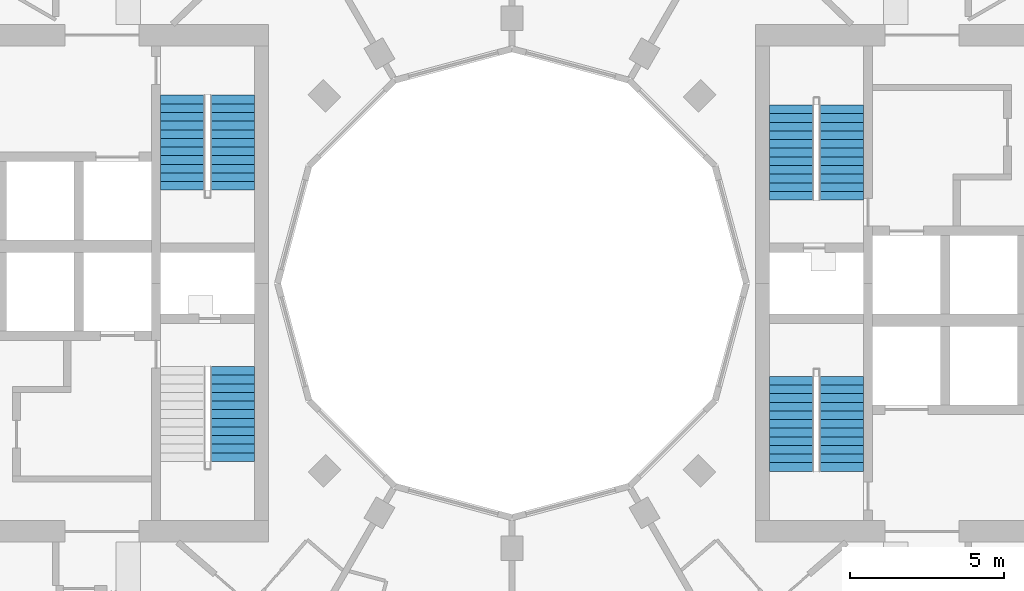
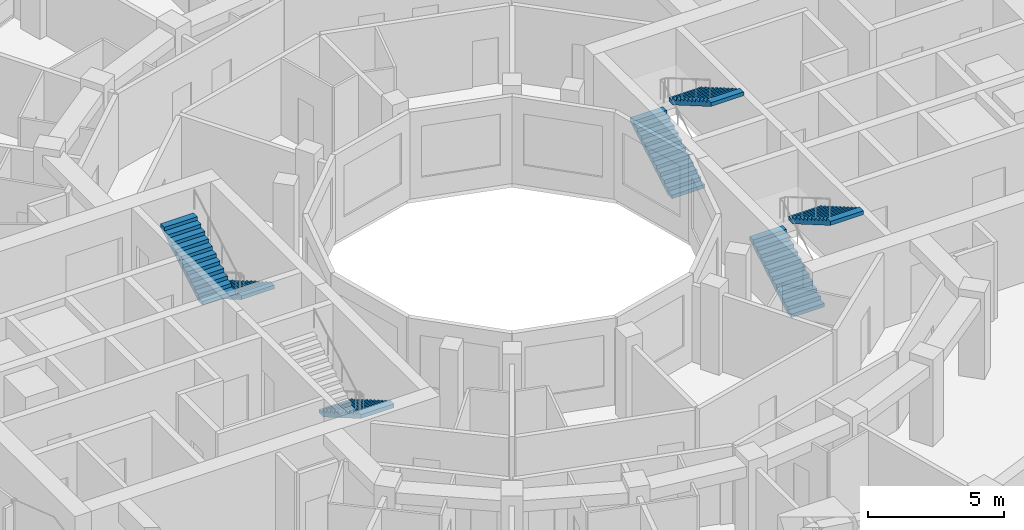
# One storey, part 13 of 15: 7 stair flights, 4 elements without a shape of their own.
"""IFC4 building model written with IfcOpenShell, lengths in metres."""

from ifc_helpers import new_model, si_unit, direction, frame, origin, place, context, subcontext, project, spatial, polyline, outline, extrude, material, layer, layer_set, type_object, element, aggregate, save


model = new_model("IFC4")

# Units and contexts
model_context = context("Model", 3, precision=1e-05, world=origin(), true_north=direction((0.0, 1.0)))
body_context = subcontext(model_context, "Body", "Model", "MODEL_VIEW")
ifc_project = project(units=[si_unit("LENGTHUNIT", "METRE"), si_unit("AREAUNIT", "SQUARE_METRE"), si_unit("VOLUMEUNIT", "CUBIC_METRE"), si_unit("PLANEANGLEUNIT", "RADIAN"), si_unit("MASSUNIT", "GRAM", prefix="KILO")], contexts=[model_context])

# Site, building, storey
site_placement = place(None, origin())
site = spatial("IfcSite", under=ifc_project, at=site_placement, CompositionType="ELEMENT")
building_placement = place(site_placement, origin())
building = spatial("IfcBuilding", under=site, at=building_placement, Name="Torre Brocal", CompositionType="ELEMENT")
storey_placement = place(building_placement, frame((0.0, 0.0, 141.89990234375)))
storey = spatial("IfcBuildingStorey", under=building, at=storey_placement, Name="L33", CompositionType="ELEMENT", Elevation=141.89990234375)

# Stair, stair flights
ifc_material_1 = material(Name="Concrete C50", Category="concrete")
stair_type = type_object("IfcStairType", Name="EXIT STAIR", PredefinedType="HALF_TURN_STAIR", material=ifc_material_1)
stair_1_placement = place(storey_placement, origin())
stair_1 = element("IfcStair", 1, at=stair_1_placement, inside=storey, type_object=stair_type, Name="EXIT STAIR ST1", PredefinedType="HALF_TURN_STAIR")
ifc_material_2 = material(Name="Concrete C50", Category="concrete")
ifc_layer = layer(ifc_material_2, 0.14990234375)
ifc_layer_set = layer_set([ifc_layer], Name="Concrete C50")
stair_flight_type = type_object("IfcStairFlightType", Name="STAIR FLIGHT", PredefinedType="STRAIGHT", material=ifc_layer_set)
stair_flight_1_placement = place(storey_placement, frame((89.050048828125, 77.699951171875, 0.0), z_axis=(0.0, 0.0, 1.0), x_axis=(0.0, 1.0, 0.0)))
stair_flight_1 = element("IfcStairFlight", 2, at=stair_flight_1_placement, type_object=stair_flight_type, Name="ST1 flight 1", NumberOfRisers=12, NumberOfTreads=11, PredefinedType="STRAIGHT", RiserHeight=0.1625, TreadLength=0.28, context=body_context, shape_type="SweptSolid", body=[
    extrude(outline(polyline([(0.0, 0.0), (0.0, 0.16259765625), (0.280029296875, 0.16259765625), (0.280029296875, 0.324951171875), (0.56005859375, 0.324951171875), (0.56005859375, 0.487548828125), (0.840087890625, 0.487548828125), (0.840087890625, 0.64990234375), (1.1201171875, 0.64990234375), (1.1201171875, 0.8125), (1.39990234375, 0.8125), (1.39990234375, 0.97509765625), (1.679931640625, 0.97509765625), (1.679931640625, 1.137451171875), (1.9599609375, 1.137451171875), (1.9599609375, 1.300048828125), (2.239990234375, 1.300048828125), (2.239990234375, 1.46240234375), (2.52001953125, 1.46240234375), (2.52001953125, 1.625), (2.800048828125, 1.625), (2.800048828125, 1.78759765625), (3.080078125, 1.78759765625), (3.080078125, 1.949951171875), (3.080078125, 1.6142578125), (0.298583984375, 0.0), (0.0, 0.0)])), frame((0.0, 0.699951171875, 0.0), z_axis=(0.0, -1.0, 0.0), x_axis=(1.0, 0.0, 0.0)), (0.0, 0.0, 1.0), 1.39990234375),
])
stair_flight_2_placement = place(storey_placement, frame((90.699951171875, 80.780029296875, 1.9501953125), z_axis=(0.0, 0.0, 1.0), x_axis=(0.0, -1.0, 0.0)))
stair_flight_2 = element("IfcStairFlight", 3, at=stair_flight_2_placement, type_object=stair_flight_type, Name="ST1 flight 2", NumberOfRisers=12, NumberOfTreads=11, PredefinedType="STRAIGHT", RiserHeight=0.1625, TreadLength=0.28, context=body_context, shape_type="SweptSolid", body=[
    extrude(outline(polyline([(0.0, 0.0), (0.0, 0.16259765625), (0.280029296875, 0.16259765625), (0.280029296875, 0.324951171875), (0.56005859375, 0.324951171875), (0.56005859375, 0.487548828125), (0.840087890625, 0.487548828125), (0.840087890625, 0.64990234375), (1.1201171875, 0.64990234375), (1.1201171875, 0.8125), (1.39990234375, 0.8125), (1.39990234375, 0.97509765625), (1.679931640625, 0.97509765625), (1.679931640625, 1.137451171875), (1.9599609375, 1.137451171875), (1.9599609375, 1.300048828125), (2.239990234375, 1.300048828125), (2.239990234375, 1.46240234375), (2.52001953125, 1.46240234375), (2.52001953125, 1.625), (2.800048828125, 1.625), (2.800048828125, 1.78759765625), (3.080078125, 1.78759765625), (3.080078125, 1.949951171875), (3.080078125, 1.6142578125), (0.298583984375, 0.0), (0.0, 0.0)])), frame((0.0, 0.699951171875, 0.0), z_axis=(0.0, -1.0, 0.0), x_axis=(1.0, 0.0, 0.0)), (0.0, 0.0, 1.0), 1.39990234375),
])
aggregate(stair_1, [stair_flight_1, stair_flight_2])

stair_2_placement = place(storey_placement, origin())
stair_2 = element("IfcStair", 4, at=stair_2_placement, inside=storey, type_object=stair_type, Name="EXIT STAIR ST2", PredefinedType="HALF_TURN_STAIR")
stair_flight_3_placement = place(storey_placement, frame((89.050048828125, 68.89990234375, 0.0), z_axis=(0.0, 0.0, 1.0), x_axis=(0.0, 1.0, 0.0)))
stair_flight_3 = element("IfcStairFlight", 5, at=stair_flight_3_placement, type_object=stair_flight_type, Name="ST2 flight 1", NumberOfRisers=12, NumberOfTreads=11, PredefinedType="STRAIGHT", RiserHeight=0.1625, TreadLength=0.28, context=body_context, shape_type="SweptSolid", body=[
    extrude(outline(polyline([(0.0, 0.0), (0.0, 0.16259765625), (0.280029296875, 0.16259765625), (0.280029296875, 0.324951171875), (0.56005859375, 0.324951171875), (0.56005859375, 0.487548828125), (0.840087890625, 0.487548828125), (0.840087890625, 0.64990234375), (1.1201171875, 0.64990234375), (1.1201171875, 0.8125), (1.39990234375, 0.8125), (1.39990234375, 0.97509765625), (1.679931640625, 0.97509765625), (1.679931640625, 1.137451171875), (1.9599609375, 1.137451171875), (1.9599609375, 1.300048828125), (2.239990234375, 1.300048828125), (2.239990234375, 1.46240234375), (2.52001953125, 1.46240234375), (2.52001953125, 1.625), (2.800048828125, 1.625), (2.800048828125, 1.78759765625), (3.080078125, 1.78759765625), (3.080078125, 1.949951171875), (3.080078125, 1.6142578125), (0.298583984375, 0.0), (0.0, 0.0)])), frame((0.0, 0.699951171875, 0.0), z_axis=(0.0, -1.0, 0.0), x_axis=(1.0, 0.0, 0.0)), (0.0, 0.0, 1.0), 1.39990234375),
])
stair_flight_4_placement = place(storey_placement, frame((90.699951171875, 71.97998046875, 1.9501953125), z_axis=(0.0, 0.0, 1.0), x_axis=(0.0, -1.0, 0.0)))
stair_flight_4 = element("IfcStairFlight", 6, at=stair_flight_4_placement, type_object=stair_flight_type, Name="ST2 flight 2", NumberOfRisers=12, NumberOfTreads=11, PredefinedType="STRAIGHT", RiserHeight=0.1625, TreadLength=0.28, context=body_context, shape_type="SweptSolid", body=[
    extrude(outline(polyline([(0.0, 0.0), (0.0, 0.16259765625), (0.280029296875, 0.16259765625), (0.280029296875, 0.324951171875), (0.56005859375, 0.324951171875), (0.56005859375, 0.487548828125), (0.840087890625, 0.487548828125), (0.840087890625, 0.64990234375), (1.1201171875, 0.64990234375), (1.1201171875, 0.8125), (1.39990234375, 0.8125), (1.39990234375, 0.97509765625), (1.679931640625, 0.97509765625), (1.679931640625, 1.137451171875), (1.9599609375, 1.137451171875), (1.9599609375, 1.300048828125), (2.239990234375, 1.300048828125), (2.239990234375, 1.46240234375), (2.52001953125, 1.46240234375), (2.52001953125, 1.625), (2.800048828125, 1.625), (2.800048828125, 1.78759765625), (3.080078125, 1.78759765625), (3.080078125, 1.949951171875), (3.080078125, 1.6142578125), (0.298583984375, 0.0), (0.0, 0.0)])), frame((0.0, 0.699951171875, 0.0), z_axis=(0.0, -1.0, 0.0), x_axis=(1.0, 0.0, 0.0)), (0.0, 0.0, 1.0), 1.39990234375),
])
aggregate(stair_2, [stair_flight_3, stair_flight_4])

# Stair, stair flight
stair_3_placement = place(storey_placement, origin())
stair_3 = element("IfcStair", 7, at=stair_3_placement, inside=storey, type_object=stair_type, Name="EXIT STAIR ST3", PredefinedType="HALF_TURN_STAIR")
stair_flight_5_placement = place(storey_placement, frame((70.949951171875, 72.300048828125, 0.0), z_axis=(0.0, 0.0, 1.0), x_axis=(0.0, -1.0, 0.0)))
stair_flight_5 = element("IfcStairFlight", 8, at=stair_flight_5_placement, type_object=stair_flight_type, Name="ST3 flight 1", NumberOfRisers=12, NumberOfTreads=11, PredefinedType="STRAIGHT", RiserHeight=0.1625, TreadLength=0.28, context=body_context, shape_type="SweptSolid", body=[
    extrude(outline(polyline([(0.0, 0.0), (0.0, 0.16259765625), (0.280029296875, 0.16259765625), (0.280029296875, 0.324951171875), (0.56005859375, 0.324951171875), (0.56005859375, 0.487548828125), (0.840087890625, 0.487548828125), (0.840087890625, 0.64990234375), (1.1201171875, 0.64990234375), (1.1201171875, 0.8125), (1.39990234375, 0.8125), (1.39990234375, 0.97509765625), (1.679931640625, 0.97509765625), (1.679931640625, 1.137451171875), (1.9599609375, 1.137451171875), (1.9599609375, 1.300048828125), (2.239990234375, 1.300048828125), (2.239990234375, 1.46240234375), (2.52001953125, 1.46240234375), (2.52001953125, 1.625), (2.800048828125, 1.625), (2.800048828125, 1.78759765625), (3.080078125, 1.78759765625), (3.080078125, 1.949951171875), (3.080078125, 1.6142578125), (0.298583984375, 0.0), (0.0, 0.0)])), frame((0.0, 0.699951171875, 0.0), z_axis=(0.0, -1.0, 0.0), x_axis=(1.0, 0.0, 0.0)), (0.0, 0.0, 1.0), 1.39990234375),
])
aggregate(stair_3, [stair_flight_5])

# Stair, stair flights
stair_4_placement = place(storey_placement, origin())
stair_4 = element("IfcStair", 9, at=stair_4_placement, inside=storey, type_object=stair_type, Name="EXIT STAIR ST4", PredefinedType="HALF_TURN_STAIR")
stair_flight_6_placement = place(storey_placement, frame((70.949951171875, 81.10009765625, 0.0), z_axis=(0.0, 0.0, 1.0), x_axis=(0.0, -1.0, 0.0)))
stair_flight_6 = element("IfcStairFlight", 10, at=stair_flight_6_placement, type_object=stair_flight_type, Name="ST4 flight 1", NumberOfRisers=12, NumberOfTreads=11, PredefinedType="STRAIGHT", RiserHeight=0.1625, TreadLength=0.28, context=body_context, shape_type="SweptSolid", body=[
    extrude(outline(polyline([(0.0, 0.0), (0.0, 0.16259765625), (0.280029296875, 0.16259765625), (0.280029296875, 0.324951171875), (0.56005859375, 0.324951171875), (0.56005859375, 0.487548828125), (0.840087890625, 0.487548828125), (0.840087890625, 0.64990234375), (1.1201171875, 0.64990234375), (1.1201171875, 0.8125), (1.39990234375, 0.8125), (1.39990234375, 0.97509765625), (1.679931640625, 0.97509765625), (1.679931640625, 1.137451171875), (1.9599609375, 1.137451171875), (1.9599609375, 1.300048828125), (2.239990234375, 1.300048828125), (2.239990234375, 1.46240234375), (2.52001953125, 1.46240234375), (2.52001953125, 1.625), (2.800048828125, 1.625), (2.800048828125, 1.78759765625), (3.080078125, 1.78759765625), (3.080078125, 1.949951171875), (3.080078125, 1.6142578125), (0.298583984375, 0.0), (0.0, 0.0)])), frame((0.0, 0.699951171875, 0.0), z_axis=(0.0, -1.0, 0.0), x_axis=(1.0, 0.0, 0.0)), (0.0, 0.0, 1.0), 1.39990234375),
])
stair_flight_7_placement = place(storey_placement, frame((69.300048828125, 78.02001953125, 1.9501953125), z_axis=(0.0, 0.0, 1.0), x_axis=(0.0, 1.0, 0.0)))
stair_flight_7 = element("IfcStairFlight", 11, at=stair_flight_7_placement, type_object=stair_flight_type, Name="ST4 flight 2", NumberOfRisers=12, NumberOfTreads=11, PredefinedType="STRAIGHT", RiserHeight=0.1625, TreadLength=0.28, context=body_context, shape_type="SweptSolid", body=[
    extrude(outline(polyline([(0.0, 0.0), (0.0, 0.16259765625), (0.280029296875, 0.16259765625), (0.280029296875, 0.324951171875), (0.56005859375, 0.324951171875), (0.56005859375, 0.487548828125), (0.840087890625, 0.487548828125), (0.840087890625, 0.64990234375), (1.1201171875, 0.64990234375), (1.1201171875, 0.8125), (1.39990234375, 0.8125), (1.39990234375, 0.97509765625), (1.679931640625, 0.97509765625), (1.679931640625, 1.137451171875), (1.9599609375, 1.137451171875), (1.9599609375, 1.300048828125), (2.239990234375, 1.300048828125), (2.239990234375, 1.46240234375), (2.52001953125, 1.46240234375), (2.52001953125, 1.625), (2.800048828125, 1.625), (2.800048828125, 1.78759765625), (3.080078125, 1.78759765625), (3.080078125, 1.949951171875), (3.080078125, 1.6142578125), (0.298583984375, 0.0), (0.0, 0.0)])), frame((0.0, 0.699951171875, 0.0), z_axis=(0.0, -1.0, 0.0), x_axis=(1.0, 0.0, 0.0)), (0.0, 0.0, 1.0), 1.39990234375),
])
aggregate(stair_4, [stair_flight_6, stair_flight_7])

save(model, "model.ifc")
